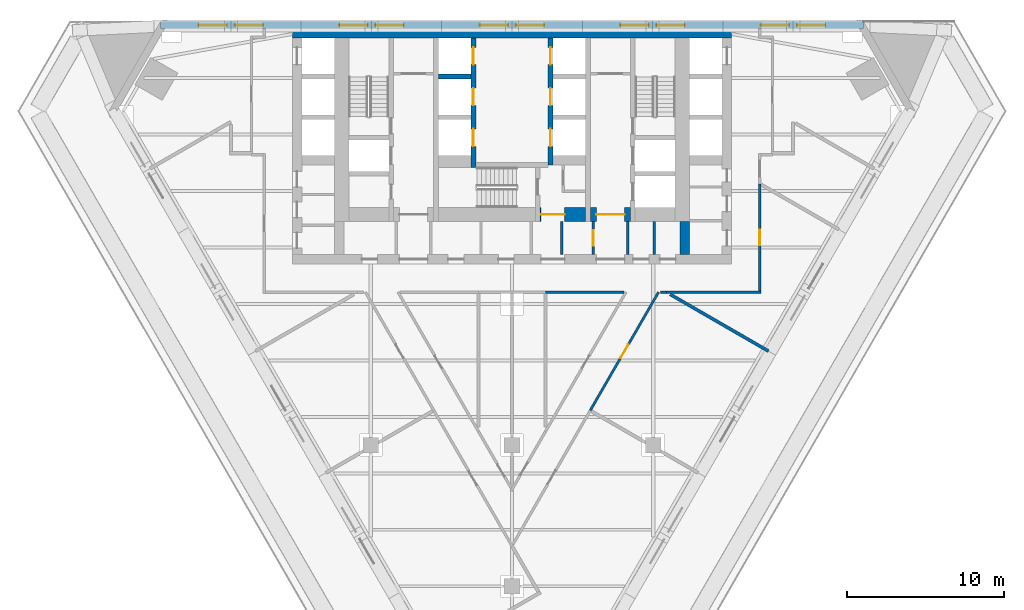
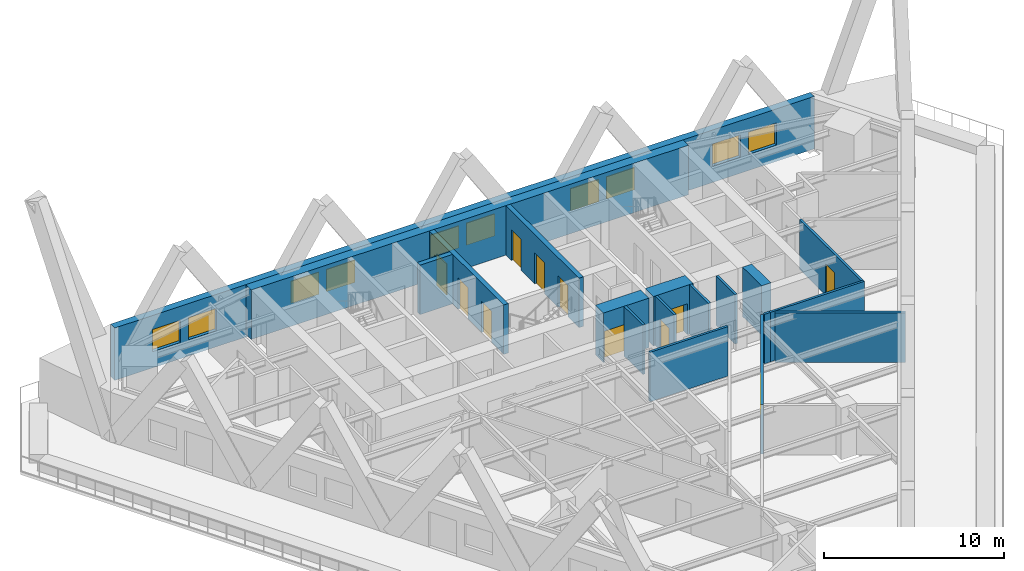
# One storey, part 6 of 11: 18 walls, 11 doors, 10 windows, 21 openings.
"""IFC4 building model written with IfcOpenShell, lengths in metres."""

from ifc_helpers import new_model, si_unit, direction, frame, frame_2d, origin, place, context, subcontext, project, spatial, polyline, rectangle, outline, extrude, material, layer, layer_set, type_object, element, fill, save


model = new_model("IFC4")

# Units and contexts
model_context = context("Model", 3, precision=1e-05, world=origin(), true_north=direction((0.0, 1.0)))
body_context = subcontext(model_context, "Body", "Model", "MODEL_VIEW")
ifc_project = project(units=[si_unit("LENGTHUNIT", "METRE"), si_unit("AREAUNIT", "SQUARE_METRE"), si_unit("VOLUMEUNIT", "CUBIC_METRE"), si_unit("PLANEANGLEUNIT", "RADIAN"), si_unit("MASSUNIT", "GRAM", prefix="KILO")], contexts=[model_context])

# Site, building, storey
site_placement = place(None, origin())
site = spatial("IfcSite", under=ifc_project, at=site_placement, CompositionType="ELEMENT")
building_placement = place(site_placement, origin())
building = spatial("IfcBuilding", under=site, at=building_placement, Name="Aloe Facet Convention Tower", CompositionType="ELEMENT")
storey_placement = place(building_placement, frame((0.0, 0.0, 35.0)))
storey = spatial("IfcBuildingStorey", under=building, at=storey_placement, Name="L06", CompositionType="ELEMENT", Elevation=35.0)

# Wall
ifc_material_1 = material(Name="Concrete blockwork partition", Category="masonry")
ifc_layer_1 = layer(ifc_material_1, 0.14990234375)
ifc_layer_set_1 = layer_set([ifc_layer_1], Name="CR-W-PART150")
wall_type_1 = type_object("IfcWallType", Name="CR-W-PART150", PredefinedType="PARTITIONING", material=ifc_layer_set_1)
wall_1_placement = place(storey_placement, frame((83.175048828125, 122.25, 0.0), z_axis=(0.0, 0.0, 1.0), x_axis=(0.0, -1.0, 0.0)))
element("IfcWall", 1, at=wall_1_placement, inside=storey, type_object=wall_type_1, Name="Core partition L06-034", PredefinedType="PARTITIONING", context=body_context, shape_type="SweptSolid", body=[
    extrude(rectangle(XDim=2.10009765625, YDim=0.14990234375, at=frame_2d((1.050048828125, 0.0))), origin(), (0.0, 0.0, 1.0), 3.35009765625),
])

# Wall, opening, door
wall_2_placement = place(storey_placement, frame((85.175048828125, 122.25, 0.0), z_axis=(0.0, 0.0, 1.0), x_axis=(0.0, -1.0, 0.0)))
wall_2 = element("IfcWall", 2, at=wall_2_placement, inside=storey, type_object=wall_type_1, Name="Core partition L06-040", PredefinedType="PARTITIONING", context=body_context, shape_type="SweptSolid", body=[
    extrude(rectangle(XDim=2.10009765625, YDim=0.14990234375, at=frame_2d((1.050048828125, 0.0))), origin(), (0.0, 0.0, 1.0), 3.35009765625),
])
opening_1_placement = place(wall_2_placement, frame((0.550048828125, 0.0, 0.0)))
opening_1 = element("IfcOpeningElement", 3, at=opening_1_placement, cuts=wall_2, Name="Opening L06-CD27", PredefinedType="OPENING", context=body_context, shape_type="SweptSolid", body=[
    extrude(rectangle(XDim=1.0, YDim=2.10009765625, at=frame_2d((0.5, 1.050048828125))), frame((0.0, 0.0849609375, 0.0), z_axis=(0.0, -1.0, 0.0), x_axis=(1.0, 0.0, 0.0)), (0.0, 0.0, 1.0), 0.169921875),
])
ifc_material_2 = material(Name="Steel fire-resisting door set FD60", Category="steel")
door_type_1 = type_object("IfcDoorType", Name="CR-D-ROOM-1000-FD60-SRIGHT", OperationType="SINGLE_SWING_RIGHT", PredefinedType="DOOR", material=ifc_material_2)
door_1_placement = place(opening_1_placement, origin())
door_1 = element("IfcDoor", 4, at=door_1_placement, inside=storey, type_object=door_type_1, Name="Core door L06-CD27", OperationType="SINGLE_SWING_RIGHT", OverallHeight=2.10009765625, OverallWidth=1.0, PredefinedType="DOOR", context=body_context, shape_type="SweptSolid", body=[
    extrude(rectangle(XDim=1.0, YDim=2.10009765625, at=frame_2d((0.5, 1.050048828125))), frame((0.0, 0.02490234375, 0.0), z_axis=(0.0, -1.0, 0.0), x_axis=(1.0, 0.0, 0.0)), (0.0, 0.0, 1.0), 0.050048828125),
])
fill(opening_1, door_1)

# Walls
for number, where, z_axis, x_axis, name in (
    (5, (87.375, 122.25, 0.0), (0.0, 0.0, 1.0), (0.0, -1.0, 0.0), "Core partition L06-041"),
    (6, (89.074951171875, 122.25, 0.0), (0.0, 0.0, 1.0), (0.0, -1.0, 0.0), "Core partition L06-046"),
):
    element("IfcWall", number, at=place(storey_placement, frame(where, z_axis=z_axis, x_axis=x_axis)), inside=storey, type_object=wall_type_1, Name=name, PredefinedType="PARTITIONING", context=body_context, shape_type="SweptSolid", body=[
        extrude(rectangle(XDim=2.10009765625, YDim=0.14990234375, at=frame_2d((1.050048828125, 0.0))), origin(), (0.0, 0.0, 1.0), 3.35009765625),
    ])
ifc_material_3 = material(Name="Concrete C80/95", Category="concrete")
ifc_layer_2 = layer(ifc_material_3, 0.300048828125)
ifc_layer_set_2 = layer_set([ifc_layer_2], Name="CR-W-RC300-C8095")
wall_type_2 = type_object("IfcWallType", Name="CR-W-RC300-C8095", PredefinedType="SOLIDWALL", material=ifc_layer_set_2)
wall_3_placement = place(storey_placement, frame((75.300048828125, 131.5, 0.0), z_axis=(0.0, 0.0, 1.0), x_axis=(1.0, 0.0, 0.0)))
element("IfcWall", 7, at=wall_3_placement, inside=storey, type_object=wall_type_2, Name="Core wall L06-020", PredefinedType="SOLIDWALL", context=body_context, shape_type="SweptSolid", body=[
    extrude(rectangle(XDim=2.099853515625, YDim=0.300048828125, at=frame_2d((1.0498046875, 0.0))), origin(), (0.0, 0.0, 1.0), 3.35009765625),
])

# Wall, openings, doors
wall_4_placement = place(storey_placement, frame((77.550048828125, 133.949951171875, 0.0), z_axis=(0.0, 0.0, 1.0), x_axis=(0.0, -1.0, 0.0)))
wall_4 = element("IfcWall", 8, at=wall_4_placement, inside=storey, type_object=wall_type_2, Name="Core wall L06-024", PredefinedType="SOLIDWALL", context=body_context, shape_type="SweptSolid", body=[
    extrude(rectangle(XDim=8.25, YDim=0.300048828125, at=frame_2d((4.125, 0.0))), origin(), (0.0, 0.0, 1.0), 3.35009765625),
])
opening_2_placement = place(wall_4_placement, frame((0.60009765625, 0.0, 0.0)))
opening_2 = element("IfcOpeningElement", 9, at=opening_2_placement, cuts=wall_4, Name="Opening LD-A1-L06", PredefinedType="OPENING", context=body_context, shape_type="SweptSolid", body=[
    extrude(rectangle(XDim=1.10009765625, YDim=2.10009765625, at=frame_2d((0.550048828125, 1.050048828125))), frame((0.0, 0.16015625, 0.0), z_axis=(0.0, -1.0, 0.0), x_axis=(1.0, 0.0, 0.0)), (0.0, 0.0, 1.0), 0.320068359375),
])
opening_3_placement = place(wall_4_placement, frame((3.199951171875, 0.0, 0.0)))
opening_3 = element("IfcOpeningElement", 10, at=opening_3_placement, cuts=wall_4, Name="Opening LD-A2-L06", PredefinedType="OPENING", context=body_context, shape_type="SweptSolid", body=[
    extrude(rectangle(XDim=1.10009765625, YDim=2.10009765625, at=frame_2d((0.550048828125, 1.050048828125))), frame((0.0, 0.16015625, 0.0), z_axis=(0.0, -1.0, 0.0), x_axis=(1.0, 0.0, 0.0)), (0.0, 0.0, 1.0), 0.320068359375),
])
opening_4_placement = place(wall_4_placement, frame((5.800048828125, 0.0, 0.0)))
opening_4 = element("IfcOpeningElement", 11, at=opening_4_placement, cuts=wall_4, Name="Opening LD-A3-L06", PredefinedType="OPENING", context=body_context, shape_type="SweptSolid", body=[
    extrude(rectangle(XDim=1.10009765625, YDim=2.10009765625, at=frame_2d((0.550048828125, 1.050048828125))), frame((0.0, 0.16015625, 0.0), z_axis=(0.0, -1.0, 0.0), x_axis=(1.0, 0.0, 0.0)), (0.0, 0.0, 1.0), 0.320068359375),
])
ifc_material_4 = material(Name="Stainless steel sliding landing door", Category="steel")
door_type_2 = type_object("IfcDoorType", Name="CR-LD-1100-FD60-RIGHT", OperationType="SLIDING_TO_RIGHT", PredefinedType="DOOR", material=ifc_material_4)
door_2_placement = place(opening_2_placement, origin())
door_2 = element("IfcDoor", 12, at=door_2_placement, inside=storey, type_object=door_type_2, Name="Landing door A1 L06", OperationType="SLIDING_TO_RIGHT", OverallHeight=2.10009765625, OverallWidth=1.10009765625, PredefinedType="DOOR", context=body_context, shape_type="SweptSolid", body=[
    extrude(rectangle(XDim=1.10009765625, YDim=2.10009765625, at=frame_2d((0.550048828125, 1.050048828125))), frame((0.0, 0.02490234375, 0.0), z_axis=(0.0, -1.0, 0.0), x_axis=(1.0, 0.0, 0.0)), (0.0, 0.0, 1.0), 0.050048828125),
])
fill(opening_2, door_2)
door_3_placement = place(opening_3_placement, origin())
door_3 = element("IfcDoor", 13, at=door_3_placement, inside=storey, type_object=door_type_2, Name="Landing door A2 L06", OperationType="SLIDING_TO_RIGHT", OverallHeight=2.10009765625, OverallWidth=1.10009765625, PredefinedType="DOOR", context=body_context, shape_type="SweptSolid", body=[
    extrude(rectangle(XDim=1.10009765625, YDim=2.10009765625, at=frame_2d((0.550048828125, 1.050048828125))), frame((0.0, 0.02490234375, 0.0), z_axis=(0.0, -1.0, 0.0), x_axis=(1.0, 0.0, 0.0)), (0.0, 0.0, 1.0), 0.050048828125),
])
fill(opening_3, door_3)
door_4_placement = place(opening_4_placement, origin())
door_4 = element("IfcDoor", 14, at=door_4_placement, inside=storey, type_object=door_type_2, Name="Landing door A3 L06", OperationType="SLIDING_TO_RIGHT", OverallHeight=2.10009765625, OverallWidth=1.10009765625, PredefinedType="DOOR", context=body_context, shape_type="SweptSolid", body=[
    extrude(rectangle(XDim=1.10009765625, YDim=2.10009765625, at=frame_2d((0.550048828125, 1.050048828125))), frame((0.0, 0.02490234375, 0.0), z_axis=(0.0, -1.0, 0.0), x_axis=(1.0, 0.0, 0.0)), (0.0, 0.0, 1.0), 0.050048828125),
])
fill(opening_4, door_4)

wall_5_placement = place(storey_placement, frame((82.449951171875, 133.949951171875, 0.0), z_axis=(0.0, 0.0, 1.0), x_axis=(0.0, -1.0, 0.0)))
wall_5 = element("IfcWall", 15, at=wall_5_placement, inside=storey, type_object=wall_type_2, Name="Core wall L06-030", PredefinedType="SOLIDWALL", context=body_context, shape_type="SweptSolid", body=[
    extrude(rectangle(XDim=8.099853515625, YDim=0.300048828125, at=frame_2d((4.0498046875, 0.0))), origin(), (0.0, 0.0, 1.0), 3.35009765625),
])
opening_5_placement = place(wall_5_placement, frame((0.60009765625, 0.0, 0.0)))
opening_5 = element("IfcOpeningElement", 16, at=opening_5_placement, cuts=wall_5, Name="Opening LD-A4-L06", PredefinedType="OPENING", context=body_context, shape_type="SweptSolid", body=[
    extrude(rectangle(XDim=1.10009765625, YDim=2.10009765625, at=frame_2d((0.550048828125, 1.050048828125))), frame((0.0, 0.16015625, 0.0), z_axis=(0.0, -1.0, 0.0), x_axis=(1.0, 0.0, 0.0)), (0.0, 0.0, 1.0), 0.320068359375),
])
opening_6_placement = place(wall_5_placement, frame((3.199951171875, 0.0, 0.0)))
opening_6 = element("IfcOpeningElement", 17, at=opening_6_placement, cuts=wall_5, Name="Opening LD-A5-L06", PredefinedType="OPENING", context=body_context, shape_type="SweptSolid", body=[
    extrude(rectangle(XDim=1.10009765625, YDim=2.10009765625, at=frame_2d((0.550048828125, 1.050048828125))), frame((0.0, 0.16015625, 0.0), z_axis=(0.0, -1.0, 0.0), x_axis=(1.0, 0.0, 0.0)), (0.0, 0.0, 1.0), 0.320068359375),
])
opening_7_placement = place(wall_5_placement, frame((5.800048828125, 0.0, 0.0)))
opening_7 = element("IfcOpeningElement", 18, at=opening_7_placement, cuts=wall_5, Name="Opening LD-A6-L06", PredefinedType="OPENING", context=body_context, shape_type="SweptSolid", body=[
    extrude(rectangle(XDim=1.10009765625, YDim=2.10009765625, at=frame_2d((0.550048828125, 1.050048828125))), frame((0.0, 0.16015625, 0.0), z_axis=(0.0, -1.0, 0.0), x_axis=(1.0, 0.0, 0.0)), (0.0, 0.0, 1.0), 0.320068359375),
])
ifc_material_5 = material(Name="Stainless steel sliding landing door", Category="steel")
door_type_3 = type_object("IfcDoorType", Name="CR-LD-1100-FD60-_LEFT", OperationType="SLIDING_TO_LEFT", PredefinedType="DOOR", material=ifc_material_5)
door_5_placement = place(opening_5_placement, origin())
door_5 = element("IfcDoor", 19, at=door_5_placement, inside=storey, type_object=door_type_3, Name="Landing door A4 L06", OperationType="SLIDING_TO_LEFT", OverallHeight=2.10009765625, OverallWidth=1.10009765625, PredefinedType="DOOR", context=body_context, shape_type="SweptSolid", body=[
    extrude(rectangle(XDim=1.10009765625, YDim=2.10009765625, at=frame_2d((0.550048828125, 1.050048828125))), frame((0.0, 0.02490234375, 0.0), z_axis=(0.0, -1.0, 0.0), x_axis=(1.0, 0.0, 0.0)), (0.0, 0.0, 1.0), 0.050048828125),
])
fill(opening_5, door_5)
door_6_placement = place(opening_6_placement, origin())
door_6 = element("IfcDoor", 20, at=door_6_placement, inside=storey, type_object=door_type_3, Name="Landing door A5 L06", OperationType="SLIDING_TO_LEFT", OverallHeight=2.10009765625, OverallWidth=1.10009765625, PredefinedType="DOOR", context=body_context, shape_type="SweptSolid", body=[
    extrude(rectangle(XDim=1.10009765625, YDim=2.10009765625, at=frame_2d((0.550048828125, 1.050048828125))), frame((0.0, 0.02490234375, 0.0), z_axis=(0.0, -1.0, 0.0), x_axis=(1.0, 0.0, 0.0)), (0.0, 0.0, 1.0), 0.050048828125),
])
fill(opening_6, door_6)
door_7_placement = place(opening_7_placement, origin())
door_7 = element("IfcDoor", 21, at=door_7_placement, inside=storey, type_object=door_type_3, Name="Landing door A6 L06", OperationType="SLIDING_TO_LEFT", OverallHeight=2.10009765625, OverallWidth=1.10009765625, PredefinedType="DOOR", context=body_context, shape_type="SweptSolid", body=[
    extrude(rectangle(XDim=1.10009765625, YDim=2.10009765625, at=frame_2d((0.550048828125, 1.050048828125))), frame((0.0, 0.02490234375, 0.0), z_axis=(0.0, -1.0, 0.0), x_axis=(1.0, 0.0, 0.0)), (0.0, 0.0, 1.0), 0.050048828125),
])
fill(opening_7, door_7)

# Walls
ifc_material_6 = material(Name="Concrete C80/95", Category="concrete")
ifc_layer_3 = layer(ifc_material_6, 0.60009765625)
ifc_layer_set_3 = layer_set([ifc_layer_3], Name="CR-W-RC600-C8095")
wall_type_3 = type_object("IfcWallType", Name="CR-W-RC600-C8095", PredefinedType="SOLIDWALL", material=ifc_layer_set_3)
wall_6_placement = place(storey_placement, frame((66.0, 134.25, 0.0), z_axis=(0.0, 0.0, 1.0), x_axis=(1.0, 0.0, 0.0)))
element("IfcWall", 22, at=wall_6_placement, inside=storey, type_object=wall_type_3, Name="Core wall L06-001", PredefinedType="SOLIDWALL", context=body_context, shape_type="SweptSolid", body=[
    extrude(rectangle(XDim=28.0, YDim=0.60009765625, at=frame_2d((14.0, 0.0))), origin(), (0.0, 0.0, 1.0), 3.35009765625),
])
wall_7_placement = place(storey_placement, frame((91.0, 122.25, 0.0), z_axis=(0.0, 0.0, 1.0), x_axis=(0.0, -1.0, 0.0)))
element("IfcWall", 23, at=wall_7_placement, inside=storey, type_object=wall_type_3, Name="Core wall L06-048", PredefinedType="SOLIDWALL", context=body_context, shape_type="SweptSolid", body=[
    extrude(rectangle(XDim=2.10009765625, YDim=0.60009765625, at=frame_2d((1.050048828125, 0.0))), origin(), (0.0, 0.0, 1.0), 3.35009765625),
])

# Wall, opening, door
ifc_material_7 = material(Name="Concrete C80/95", Category="concrete")
ifc_layer_4 = layer(ifc_material_7, 0.89990234375)
ifc_layer_set_4 = layer_set([ifc_layer_4], Name="CR-W-RC900-C8095")
wall_type_4 = type_object("IfcWallType", Name="CR-W-RC900-C8095", PredefinedType="SOLIDWALL", material=ifc_layer_set_4)
wall_8_placement = place(storey_placement, frame((81.800048828125, 122.699951171875, 0.0), z_axis=(0.0, 0.0, 1.0), x_axis=(1.0, 0.0, 0.0)))
wall_8 = element("IfcWall", 24, at=wall_8_placement, inside=storey, type_object=wall_type_4, Name="Core wall L06-029", PredefinedType="SOLIDWALL", context=body_context, shape_type="SweptSolid", body=[
    extrude(rectangle(XDim=2.89990234375, YDim=0.89990234375, at=frame_2d((1.449951171875, 0.0))), origin(), (0.0, 0.0, 1.0), 3.35009765625),
])
opening_8_placement = place(wall_8_placement, frame((0.050048828125, 0.0, 0.0)))
opening_8 = element("IfcOpeningElement", 25, at=opening_8_placement, cuts=wall_8, Name="Opening L06-CD16", PredefinedType="OPENING", context=body_context, shape_type="SweptSolid", body=[
    extrude(rectangle(XDim=1.5, YDim=2.10009765625, at=frame_2d((0.75, 1.050048828125))), frame((0.0, 0.4599609375, 0.0), z_axis=(0.0, -1.0, 0.0), x_axis=(1.0, 0.0, 0.0)), (0.0, 0.0, 1.0), 0.919921875),
])
ifc_material_8 = material(Name="Steel fire-resisting door set FD60", Category="steel")
door_type_4 = type_object("IfcDoorType", Name="CR-D-EXIT-1500-FD60-DD", OperationType="DOUBLE_DOOR_DOUBLE_SWING", PredefinedType="DOOR", material=ifc_material_8)
door_8_placement = place(opening_8_placement, origin())
door_8 = element("IfcDoor", 26, at=door_8_placement, inside=storey, type_object=door_type_4, Name="Core door L06-CD16", OperationType="DOUBLE_DOOR_DOUBLE_SWING", OverallHeight=2.10009765625, OverallWidth=1.5, PredefinedType="DOOR", context=body_context, shape_type="SweptSolid", body=[
    extrude(rectangle(XDim=1.5, YDim=2.10009765625, at=frame_2d((0.75, 1.050048828125))), frame((0.0, 0.02490234375, 0.0), z_axis=(0.0, -1.0, 0.0), x_axis=(1.0, 0.0, 0.0)), (0.0, 0.0, 1.0), 0.050048828125),
])
fill(opening_8, door_8)

wall_9_placement = place(storey_placement, frame((85.0, 122.699951171875, 0.0), z_axis=(0.0, 0.0, 1.0), x_axis=(1.0, 0.0, 0.0)))
wall_9 = element("IfcWall", 27, at=wall_9_placement, inside=storey, type_object=wall_type_4, Name="Core wall L06-039", PredefinedType="SOLIDWALL", context=body_context, shape_type="SweptSolid", body=[
    extrude(rectangle(XDim=2.550048828125, YDim=0.89990234375, at=frame_2d((1.27490234375, 0.0))), origin(), (0.0, 0.0, 1.0), 3.35009765625),
])
opening_9_placement = place(wall_9_placement, frame((0.375, 0.0, 0.0)))
opening_9 = element("IfcOpeningElement", 28, at=opening_9_placement, cuts=wall_9, Name="Opening L06-CD14", PredefinedType="OPENING", context=body_context, shape_type="SweptSolid", body=[
    extrude(rectangle(XDim=1.800048828125, YDim=2.10009765625, at=frame_2d((0.89990234375, 1.050048828125))), frame((0.0, 0.4599609375, 0.0), z_axis=(0.0, -1.0, 0.0), x_axis=(1.0, 0.0, 0.0)), (0.0, 0.0, 1.0), 0.919921875),
])
ifc_material_9 = material(Name="Steel fire-resisting door set FD120", Category="steel")
door_type_5 = type_object("IfcDoorType", Name="CR-D-EXIT-1800-FD120-DD", OperationType="DOUBLE_DOOR_DOUBLE_SWING", PredefinedType="DOOR", material=ifc_material_9)
door_9_placement = place(opening_9_placement, origin())
door_9 = element("IfcDoor", 29, at=door_9_placement, inside=storey, type_object=door_type_5, Name="Core door L06-CD14", OperationType="DOUBLE_DOOR_DOUBLE_SWING", OverallHeight=2.10009765625, OverallWidth=1.800048828125, PredefinedType="DOOR", context=body_context, shape_type="SweptSolid", body=[
    extrude(rectangle(XDim=1.800048828125, YDim=2.10009765625, at=frame_2d((0.89990234375, 1.050048828125))), frame((0.0, 0.02490234375, 0.0), z_axis=(0.0, -1.0, 0.0), x_axis=(1.0, 0.0, 0.0)), (0.0, 0.0, 1.0), 0.050048828125),
])
fill(opening_9, door_9)

# Wall, openings, windows
ifc_material_10 = material(Name="Precast concrete C40/50", Category="concrete")
ifc_layer_5 = layer(ifc_material_10, 0.449951171875)
ifc_layer_set_5 = layer_set([ifc_layer_5], Name="EV-WALL-STONE")
wall_type_5 = type_object("IfcWallType", Name="EV-WALL-STONE", PredefinedType="SOLIDWALL", material=ifc_layer_set_5)
wall_10_placement = place(storey_placement, frame((102.39990234375, 134.77490234375, -0.199951171875), z_axis=(0.0, 0.0, 1.0), x_axis=(-1.0, 0.0, 0.0)))
wall_10 = element("IfcWall", 30, at=wall_10_placement, inside=storey, type_object=wall_type_5, Name="EW-L06-N01", PredefinedType="SOLIDWALL", context=body_context, shape_type="SweptSolid", body=[
    extrude(outline(polyline([(44.800048828125, 0.0), (44.800048828125, 3.550048828125), (0.0, 3.550048828125), (0.0, 0.0), (44.800048828125, 0.0)])), frame((0.0, 0.22509765625, 0.0), z_axis=(0.0, -1.0, 0.0), x_axis=(1.0, 0.0, 0.0)), (0.0, 0.0, 1.0), 0.449951171875),
])
opening_10_placement = place(wall_10_placement, frame((2.429931640625, 0.0, 1.10009765625)))
opening_10 = element("IfcOpeningElement", 31, at=opening_10_placement, cuts=wall_10, Name="Opening W-L06-N01", PredefinedType="OPENING", context=body_context, shape_type="SweptSolid", body=[
    extrude(rectangle(XDim=1.800048828125, YDim=1.5, at=frame_2d((0.89990234375, 0.75))), frame((0.0, 0.23486328125, 0.0), z_axis=(0.0, -1.0, 0.0), x_axis=(1.0, 0.0, 0.0)), (0.0, 0.0, 1.0), 0.469970703125),
])
opening_11_placement = place(wall_10_placement, frame((4.72998046875, 0.0, 1.10009765625)))
opening_11 = element("IfcOpeningElement", 32, at=opening_11_placement, cuts=wall_10, Name="Opening W-L06-N02", PredefinedType="OPENING", context=body_context, shape_type="SweptSolid", body=[
    extrude(rectangle(XDim=1.800048828125, YDim=1.5, at=frame_2d((0.89990234375, 0.75))), frame((0.0, 0.23486328125, 0.0), z_axis=(0.0, -1.0, 0.0), x_axis=(1.0, 0.0, 0.0)), (0.0, 0.0, 1.0), 0.469970703125),
])
opening_12_placement = place(wall_10_placement, frame((11.389892578125, 0.0, 1.10009765625)))
opening_12 = element("IfcOpeningElement", 33, at=opening_12_placement, cuts=wall_10, Name="Opening W-L06-N03", PredefinedType="OPENING", context=body_context, shape_type="SweptSolid", body=[
    extrude(rectangle(XDim=1.800048828125, YDim=1.5, at=frame_2d((0.89990234375, 0.75))), frame((0.0, 0.23486328125, 0.0), z_axis=(0.0, -1.0, 0.0), x_axis=(1.0, 0.0, 0.0)), (0.0, 0.0, 1.0), 0.469970703125),
])
opening_13_placement = place(wall_10_placement, frame((13.68994140625, 0.0, 1.10009765625)))
opening_13 = element("IfcOpeningElement", 34, at=opening_13_placement, cuts=wall_10, Name="Opening W-L06-N04", PredefinedType="OPENING", context=body_context, shape_type="SweptSolid", body=[
    extrude(rectangle(XDim=1.800048828125, YDim=1.5, at=frame_2d((0.89990234375, 0.75))), frame((0.0, 0.23486328125, 0.0), z_axis=(0.0, -1.0, 0.0), x_axis=(1.0, 0.0, 0.0)), (0.0, 0.0, 1.0), 0.469970703125),
])
opening_14_placement = place(wall_10_placement, frame((20.35009765625, 0.0, 1.10009765625)))
opening_14 = element("IfcOpeningElement", 35, at=opening_14_placement, cuts=wall_10, Name="Opening W-L06-N05", PredefinedType="OPENING", context=body_context, shape_type="SweptSolid", body=[
    extrude(rectangle(XDim=1.800048828125, YDim=1.5, at=frame_2d((0.89990234375, 0.75))), frame((0.0, 0.23486328125, 0.0), z_axis=(0.0, -1.0, 0.0), x_axis=(1.0, 0.0, 0.0)), (0.0, 0.0, 1.0), 0.469970703125),
])
opening_15_placement = place(wall_10_placement, frame((22.64990234375, 0.0, 1.10009765625)))
opening_15 = element("IfcOpeningElement", 36, at=opening_15_placement, cuts=wall_10, Name="Opening W-L06-N06", PredefinedType="OPENING", context=body_context, shape_type="SweptSolid", body=[
    extrude(rectangle(XDim=1.800048828125, YDim=1.5, at=frame_2d((0.89990234375, 0.75))), frame((0.0, 0.23486328125, 0.0), z_axis=(0.0, -1.0, 0.0), x_axis=(1.0, 0.0, 0.0)), (0.0, 0.0, 1.0), 0.469970703125),
])
opening_16_placement = place(wall_10_placement, frame((29.31005859375, 0.0, 1.10009765625)))
opening_16 = element("IfcOpeningElement", 37, at=opening_16_placement, cuts=wall_10, Name="Opening W-L06-N07", PredefinedType="OPENING", context=body_context, shape_type="SweptSolid", body=[
    extrude(rectangle(XDim=1.800048828125, YDim=1.5, at=frame_2d((0.89990234375, 0.75))), frame((0.0, 0.23486328125, 0.0), z_axis=(0.0, -1.0, 0.0), x_axis=(1.0, 0.0, 0.0)), (0.0, 0.0, 1.0), 0.469970703125),
])
opening_17_placement = place(wall_10_placement, frame((31.610107421875, 0.0, 1.10009765625)))
opening_17 = element("IfcOpeningElement", 38, at=opening_17_placement, cuts=wall_10, Name="Opening W-L06-N08", PredefinedType="OPENING", context=body_context, shape_type="SweptSolid", body=[
    extrude(rectangle(XDim=1.800048828125, YDim=1.5, at=frame_2d((0.89990234375, 0.75))), frame((0.0, 0.23486328125, 0.0), z_axis=(0.0, -1.0, 0.0), x_axis=(1.0, 0.0, 0.0)), (0.0, 0.0, 1.0), 0.469970703125),
])
opening_18_placement = place(wall_10_placement, frame((38.27001953125, 0.0, 1.10009765625)))
opening_18 = element("IfcOpeningElement", 39, at=opening_18_placement, cuts=wall_10, Name="Opening W-L06-N09", PredefinedType="OPENING", context=body_context, shape_type="SweptSolid", body=[
    extrude(rectangle(XDim=1.800048828125, YDim=1.5, at=frame_2d((0.89990234375, 0.75))), frame((0.0, 0.23486328125, 0.0), z_axis=(0.0, -1.0, 0.0), x_axis=(1.0, 0.0, 0.0)), (0.0, 0.0, 1.0), 0.469970703125),
])
opening_19_placement = place(wall_10_placement, frame((40.570068359375, 0.0, 1.10009765625)))
opening_19 = element("IfcOpeningElement", 40, at=opening_19_placement, cuts=wall_10, Name="Opening W-L06-N10", PredefinedType="OPENING", context=body_context, shape_type="SweptSolid", body=[
    extrude(rectangle(XDim=1.800048828125, YDim=1.5, at=frame_2d((0.89990234375, 0.75))), frame((0.0, 0.23486328125, 0.0), z_axis=(0.0, -1.0, 0.0), x_axis=(1.0, 0.0, 0.0)), (0.0, 0.0, 1.0), 0.469970703125),
])
ifc_material_11 = material(Name="Aluminium frame, clear double glazing", Category="aluminium")
window_type = type_object("IfcWindowType", Name="EV-WIN-H18", PartitioningType="SINGLE_PANEL", PredefinedType="WINDOW", material=ifc_material_11)
window_1_placement = place(opening_10_placement, origin())
window_1 = element("IfcWindow", 41, at=window_1_placement, inside=storey, type_object=window_type, Name="W-L06-N01", OverallHeight=1.5, OverallWidth=1.800048828125, PartitioningType="SINGLE_PANEL", PredefinedType="WINDOW", context=body_context, shape_type="SweptSolid", body=[
    extrude(rectangle(XDim=1.800048828125, YDim=1.5, at=frame_2d((0.89990234375, 0.75))), frame((0.0, 0.030029296875, 0.0), z_axis=(0.0, -1.0, 0.0), x_axis=(1.0, 0.0, 0.0)), (0.0, 0.0, 1.0), 0.06005859375),
])
fill(opening_10, window_1)
window_2_placement = place(opening_11_placement, origin())
window_2 = element("IfcWindow", 42, at=window_2_placement, inside=storey, type_object=window_type, Name="W-L06-N02", OverallHeight=1.5, OverallWidth=1.800048828125, PartitioningType="SINGLE_PANEL", PredefinedType="WINDOW", context=body_context, shape_type="SweptSolid", body=[
    extrude(rectangle(XDim=1.800048828125, YDim=1.5, at=frame_2d((0.89990234375, 0.75))), frame((0.0, 0.030029296875, 0.0), z_axis=(0.0, -1.0, 0.0), x_axis=(1.0, 0.0, 0.0)), (0.0, 0.0, 1.0), 0.06005859375),
])
fill(opening_11, window_2)
window_3_placement = place(opening_12_placement, origin())
window_3 = element("IfcWindow", 43, at=window_3_placement, inside=storey, type_object=window_type, Name="W-L06-N03", OverallHeight=1.5, OverallWidth=1.800048828125, PartitioningType="SINGLE_PANEL", PredefinedType="WINDOW", context=body_context, shape_type="SweptSolid", body=[
    extrude(rectangle(XDim=1.800048828125, YDim=1.5, at=frame_2d((0.89990234375, 0.75))), frame((0.0, 0.030029296875, 0.0), z_axis=(0.0, -1.0, 0.0), x_axis=(1.0, 0.0, 0.0)), (0.0, 0.0, 1.0), 0.06005859375),
])
fill(opening_12, window_3)
window_4_placement = place(opening_13_placement, origin())
window_4 = element("IfcWindow", 44, at=window_4_placement, inside=storey, type_object=window_type, Name="W-L06-N04", OverallHeight=1.5, OverallWidth=1.800048828125, PartitioningType="SINGLE_PANEL", PredefinedType="WINDOW", context=body_context, shape_type="SweptSolid", body=[
    extrude(rectangle(XDim=1.800048828125, YDim=1.5, at=frame_2d((0.89990234375, 0.75))), frame((0.0, 0.030029296875, 0.0), z_axis=(0.0, -1.0, 0.0), x_axis=(1.0, 0.0, 0.0)), (0.0, 0.0, 1.0), 0.06005859375),
])
fill(opening_13, window_4)
window_5_placement = place(opening_14_placement, origin())
window_5 = element("IfcWindow", 45, at=window_5_placement, inside=storey, type_object=window_type, Name="W-L06-N05", OverallHeight=1.5, OverallWidth=1.800048828125, PartitioningType="SINGLE_PANEL", PredefinedType="WINDOW", context=body_context, shape_type="SweptSolid", body=[
    extrude(rectangle(XDim=1.800048828125, YDim=1.5, at=frame_2d((0.89990234375, 0.75))), frame((0.0, 0.030029296875, 0.0), z_axis=(0.0, -1.0, 0.0), x_axis=(1.0, 0.0, 0.0)), (0.0, 0.0, 1.0), 0.06005859375),
])
fill(opening_14, window_5)
window_6_placement = place(opening_15_placement, origin())
window_6 = element("IfcWindow", 46, at=window_6_placement, inside=storey, type_object=window_type, Name="W-L06-N06", OverallHeight=1.5, OverallWidth=1.800048828125, PartitioningType="SINGLE_PANEL", PredefinedType="WINDOW", context=body_context, shape_type="SweptSolid", body=[
    extrude(rectangle(XDim=1.800048828125, YDim=1.5, at=frame_2d((0.89990234375, 0.75))), frame((0.0, 0.030029296875, 0.0), z_axis=(0.0, -1.0, 0.0), x_axis=(1.0, 0.0, 0.0)), (0.0, 0.0, 1.0), 0.06005859375),
])
fill(opening_15, window_6)
window_7_placement = place(opening_16_placement, origin())
window_7 = element("IfcWindow", 47, at=window_7_placement, inside=storey, type_object=window_type, Name="W-L06-N07", OverallHeight=1.5, OverallWidth=1.800048828125, PartitioningType="SINGLE_PANEL", PredefinedType="WINDOW", context=body_context, shape_type="SweptSolid", body=[
    extrude(rectangle(XDim=1.800048828125, YDim=1.5, at=frame_2d((0.89990234375, 0.75))), frame((0.0, 0.030029296875, 0.0), z_axis=(0.0, -1.0, 0.0), x_axis=(1.0, 0.0, 0.0)), (0.0, 0.0, 1.0), 0.06005859375),
])
fill(opening_16, window_7)
window_8_placement = place(opening_17_placement, origin())
window_8 = element("IfcWindow", 48, at=window_8_placement, inside=storey, type_object=window_type, Name="W-L06-N08", OverallHeight=1.5, OverallWidth=1.800048828125, PartitioningType="SINGLE_PANEL", PredefinedType="WINDOW", context=body_context, shape_type="SweptSolid", body=[
    extrude(rectangle(XDim=1.800048828125, YDim=1.5, at=frame_2d((0.89990234375, 0.75))), frame((0.0, 0.030029296875, 0.0), z_axis=(0.0, -1.0, 0.0), x_axis=(1.0, 0.0, 0.0)), (0.0, 0.0, 1.0), 0.06005859375),
])
fill(opening_17, window_8)
window_9_placement = place(opening_18_placement, origin())
window_9 = element("IfcWindow", 49, at=window_9_placement, inside=storey, type_object=window_type, Name="W-L06-N09", OverallHeight=1.5, OverallWidth=1.800048828125, PartitioningType="SINGLE_PANEL", PredefinedType="WINDOW", context=body_context, shape_type="SweptSolid", body=[
    extrude(rectangle(XDim=1.800048828125, YDim=1.5, at=frame_2d((0.89990234375, 0.75))), frame((0.0, 0.030029296875, 0.0), z_axis=(0.0, -1.0, 0.0), x_axis=(1.0, 0.0, 0.0)), (0.0, 0.0, 1.0), 0.06005859375),
])
fill(opening_18, window_9)
window_10_placement = place(opening_19_placement, origin())
window_10 = element("IfcWindow", 50, at=window_10_placement, inside=storey, type_object=window_type, Name="W-L06-N10", OverallHeight=1.5, OverallWidth=1.800048828125, PartitioningType="SINGLE_PANEL", PredefinedType="WINDOW", context=body_context, shape_type="SweptSolid", body=[
    extrude(rectangle(XDim=1.800048828125, YDim=1.5, at=frame_2d((0.89990234375, 0.75))), frame((0.0, 0.030029296875, 0.0), z_axis=(0.0, -1.0, 0.0), x_axis=(1.0, 0.0, 0.0)), (0.0, 0.0, 1.0), 0.06005859375),
])
fill(opening_19, window_10)

# Wall
ifc_material_12 = material(Name="Gypsum board partition on steel studs", Category="steel")
ifc_layer_6 = layer(ifc_material_12, 0.14990234375)
ifc_layer_set_6 = layer_set([ifc_layer_6], Name="IN-W-CORR")
wall_type_6 = type_object("IfcWallType", Name="IN-W-CORR", PredefinedType="PARTITIONING", material=ifc_layer_set_6)
wall_11_placement = place(storey_placement, frame((82.126953125, 117.75, 0.0), z_axis=(0.0, 0.0, 1.0), x_axis=(1.0, 0.0, 0.0)))
element("IfcWall", 51, at=wall_11_placement, inside=storey, type_object=wall_type_6, Name="Partition L06-W023", PredefinedType="PARTITIONING", context=body_context, shape_type="SweptSolid", body=[
    extrude(rectangle(XDim=5.005859375, YDim=0.14990234375, at=frame_2d((2.5029296875, 0.0))), origin(), (0.0, 0.0, 1.0), 3.35009765625),
])

# Wall, opening, door
wall_12_placement = place(storey_placement, frame((84.9853515625, 110.20556640625, 0.0), z_axis=(0.0, 0.0, 1.0), x_axis=(0.500015174863, 0.866016642396, 0.0)))
wall_12 = element("IfcWall", 52, at=wall_12_placement, inside=storey, type_object=wall_type_6, Name="Partition L06-W024", PredefinedType="PARTITIONING", context=body_context, shape_type="SweptSolid", body=[
    extrude(rectangle(XDim=8.711669921875, YDim=0.14990234375, at=frame_2d((4.35595703125, 0.0))), origin(), (0.0, 0.0, 1.0), 3.35009765625),
])
opening_20_placement = place(wall_12_placement, frame((3.85595703125, 0.0, 0.0)))
opening_20 = element("IfcOpeningElement", 53, at=opening_20_placement, cuts=wall_12, Name="Opening L06-007", PredefinedType="OPENING", context=body_context, shape_type="SweptSolid", body=[
    extrude(rectangle(XDim=1.0, YDim=2.10009765625, at=frame_2d((0.5, 1.050048828125))), frame((0.0, 0.0849609375, 0.0), z_axis=(0.0, -1.0, 0.0), x_axis=(1.0, 0.0, 0.0)), (0.0, 0.0, 1.0), 0.169921875),
])
ifc_material_13 = material(Name="Hardwood flush door FD30S", Category="wood")
door_type_6 = type_object("IfcDoorType", Name="IN-D-WIDE", OperationType="SINGLE_SWING_LEFT", PredefinedType="DOOR", material=ifc_material_13)
door_10_placement = place(opening_20_placement, origin())
door_10 = element("IfcDoor", 54, at=door_10_placement, inside=storey, type_object=door_type_6, Name="Door L06-007", OperationType="SINGLE_SWING_LEFT", OverallHeight=2.10009765625, OverallWidth=1.0, PredefinedType="DOOR", context=body_context, shape_type="SweptSolid", body=[
    extrude(rectangle(XDim=1.0, YDim=2.10009765625, at=frame_2d((0.5, 1.050048828125))), frame((0.0, 0.02490234375, 0.0), z_axis=(0.0, -1.0, 0.0), x_axis=(1.0, 0.0, 0.0)), (0.0, 0.0, 1.0), 0.050048828125),
])
fill(opening_20, door_10)

# Walls
wall_13_placement = place(storey_placement, frame((89.47119140625, 117.75, 0.0), z_axis=(0.0, 0.0, 1.0), x_axis=(1.0, 0.0, 0.0)))
element("IfcWall", 55, at=wall_13_placement, inside=storey, type_object=wall_type_6, Name="Partition L06-W025", PredefinedType="PARTITIONING", context=body_context, shape_type="SweptSolid", body=[
    extrude(rectangle(XDim=0.36669921875, YDim=0.14990234375, at=frame_2d((0.183349609375, 0.0))), origin(), (0.0, 0.0, 1.0), 3.35009765625),
])
wall_14_placement = place(storey_placement, frame((89.837890625, 117.75, 0.0), z_axis=(0.0, 0.0, 1.0), x_axis=(1.0, 0.0, 0.0)))
element("IfcWall", 56, at=wall_14_placement, inside=storey, type_object=wall_type_6, Name="Partition L06-W026", PredefinedType="PARTITIONING", context=body_context, shape_type="SweptSolid", body=[
    extrude(rectangle(XDim=6.037109375, YDim=0.14990234375, at=frame_2d((3.0185546875, 0.0))), origin(), (0.0, 0.0, 1.0), 3.35009765625),
])

# Wall, opening, door
wall_15_placement = place(storey_placement, frame((95.800048828125, 117.824951171875, 0.0), z_axis=(0.0, 0.0, 1.0), x_axis=(0.0, 1.0, 0.0)))
wall_15 = element("IfcWall", 57, at=wall_15_placement, inside=storey, type_object=wall_type_6, Name="Partition L06-W028", PredefinedType="PARTITIONING", context=body_context, shape_type="SweptSolid", body=[
    extrude(rectangle(XDim=6.828857421875, YDim=0.14990234375, at=frame_2d((3.41455078125, 0.0))), origin(), (0.0, 0.0, 1.0), 3.35009765625),
])
opening_21_placement = place(wall_15_placement, frame((2.91455078125, 0.0, 0.0)))
opening_21 = element("IfcOpeningElement", 58, at=opening_21_placement, cuts=wall_15, Name="Opening L06-008", PredefinedType="OPENING", context=body_context, shape_type="SweptSolid", body=[
    extrude(rectangle(XDim=1.0, YDim=2.10009765625, at=frame_2d((0.5, 1.050048828125))), frame((0.0, 0.0849609375, 0.0), z_axis=(0.0, -1.0, 0.0), x_axis=(1.0, 0.0, 0.0)), (0.0, 0.0, 1.0), 0.169921875),
])
door_11_placement = place(opening_21_placement, origin())
door_11 = element("IfcDoor", 59, at=door_11_placement, inside=storey, type_object=door_type_6, Name="Door L06-008", OperationType="SINGLE_SWING_LEFT", OverallHeight=2.10009765625, OverallWidth=1.0, PredefinedType="DOOR", context=body_context, shape_type="SweptSolid", body=[
    extrude(rectangle(XDim=1.0, YDim=2.10009765625, at=frame_2d((0.5, 1.050048828125))), frame((0.0, 0.02490234375, 0.0), z_axis=(0.0, -1.0, 0.0), x_axis=(1.0, 0.0, 0.0)), (0.0, 0.0, 1.0), 0.050048828125),
])
fill(opening_21, door_11)

# Wall
ifc_material_14 = material(Name="Gypsum board partition on steel studs", Category="steel")
ifc_layer_7 = layer(ifc_material_14, 0.199951171875)
ifc_layer_set_7 = layer_set([ifc_layer_7], Name="IN-W-PARTY")
wall_type_7 = type_object("IfcWallType", Name="IN-W-PARTY", PredefinedType="PARTITIONING", material=ifc_layer_set_7)
wall_16_placement = place(storey_placement, frame((90.084716796875, 117.607421875, 0.0), z_axis=(0.0, 0.0, 1.0), x_axis=(0.866027117883, -0.499997031082, 0.0)))
element("IfcWall", 60, at=wall_16_placement, inside=storey, type_object=wall_type_7, Name="Partition L06-W016", PredefinedType="PARTITIONING", context=body_context, shape_type="SweptSolid", body=[
    extrude(rectangle(XDim=7.23486328125, YDim=0.199951171875, at=frame_2d((3.617431640625, 0.0))), origin(), (0.0, 0.0, 1.0), 3.35009765625),
])

save(model, "model.ifc")
